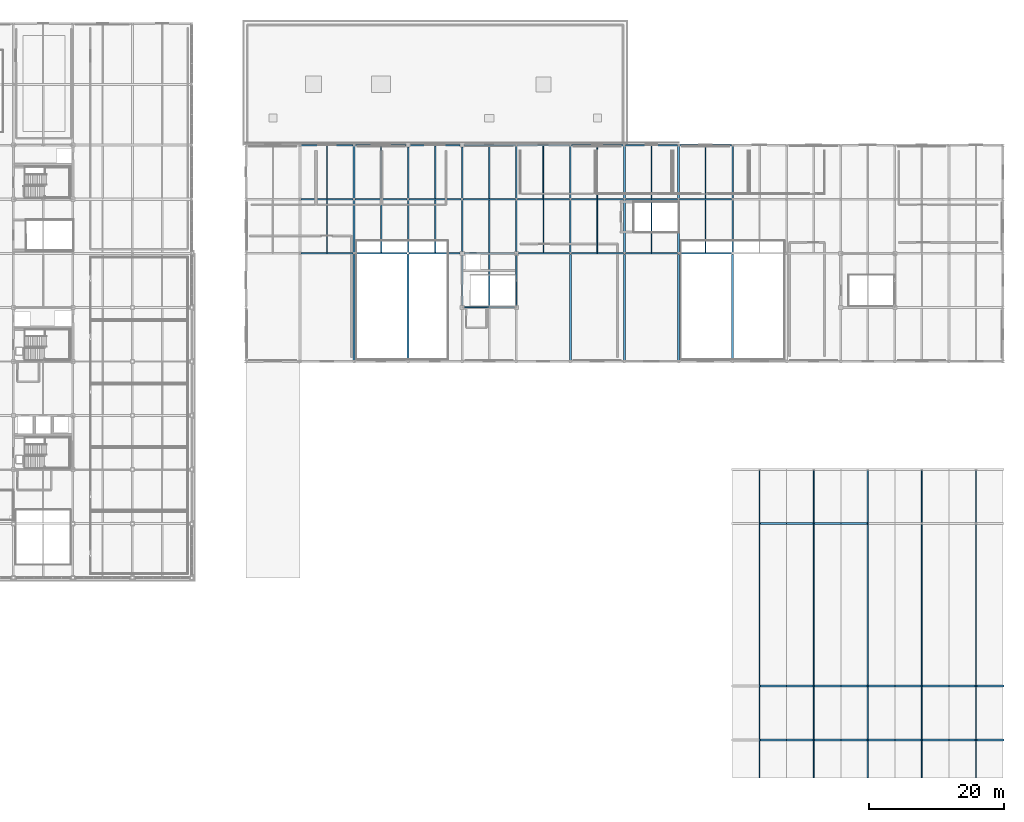
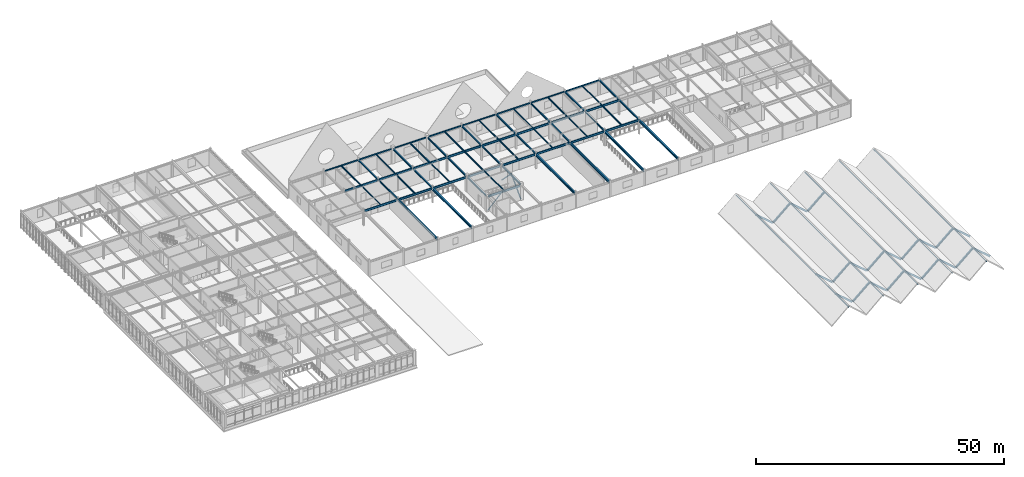
# One storey, part 36 of 88: 66 beams, 30 members.
"""IFC4 building model written with IfcOpenShell, lengths in metres."""

from ifc_helpers import new_model, si_unit, direction, frame, origin, origin_2d, place, context, subcontext, project, spatial, hollow_rectangle, hollow_circle, i_section, extrude, material, material_profile, profile_set, type_object, element, save


model = new_model("IFC4")

# Units and contexts
model_context = context("Model", 3, precision=1e-05, world=origin(), true_north=direction((0.0, 1.0)))
body_context = subcontext(model_context, "Body", "Model", "MODEL_VIEW")
ifc_project = project(units=[si_unit("LENGTHUNIT", "METRE"), si_unit("AREAUNIT", "SQUARE_METRE"), si_unit("VOLUMEUNIT", "CUBIC_METRE"), si_unit("PLANEANGLEUNIT", "RADIAN"), si_unit("MASSUNIT", "GRAM", prefix="KILO")], contexts=[model_context])

# Site, building, storey
site_placement = place(None, origin())
site = spatial("IfcSite", under=ifc_project, at=site_placement, CompositionType="ELEMENT")
building_placement = place(site_placement, origin())
building = spatial("IfcBuilding", under=site, at=building_placement, Name="Zhaolan Boulevard Law Courts", CompositionType="ELEMENT")
storey_placement = place(building_placement, frame((0.0, 0.0, 16.199951171875)))
storey = spatial("IfcBuildingStorey", under=building, at=storey_placement, Name="L03", CompositionType="ELEMENT", Elevation=16.199951171875)

# Members
ifc_material_1 = material(Name="Structural steel Q355B", Category="steel")
ifc_material_profile_1 = material_profile(ifc_material_1, hollow_circle(Radius=0.109619140625, WallThickness=0.008056640625, at=origin_2d()), Name="CHS219x8")
ifc_profile_set_1 = profile_set([ifc_material_profile_1], Name="Structural steel Q355B")
member_type_1 = type_object("IfcMemberType", Name="BRACE CHS219", PredefinedType="BRACE", material=ifc_profile_set_1)
member_1_placement = place(storey_placement, frame((84.179931640625, 70.0, 0.030029296875), z_axis=(0.700651844954, 0.0, 0.713503323161), x_axis=(0.0, 1.0, 0.0)))
element("IfcMember", 1, at=member_1_placement, inside=storey, type_object=member_type_1, Name="Core Brace BR-T1-L03-S1", PredefinedType="BRACE", context=body_context, shape_type="SweptSolid", body=[
    extrude(hollow_circle(Radius=0.109619140625, WallThickness=0.008056640625, at=origin_2d()), origin(), (0.0, 0.0, 1.0), 5.4521484375),
])
ifc_material_2 = material(Name="Structural steel Q355B", Category="steel")
ifc_material_profile_2 = material_profile(ifc_material_2, hollow_rectangle(XDim=0.219970703125, YDim=0.219970703125, WallThickness=0.010009765625, InnerFilletRadius=0.010009765625, OuterFilletRadius=0.02001953125, at=origin_2d()), Name="HSS220x220x10")
ifc_profile_set_2 = profile_set([ifc_material_profile_2], Name="Structural steel Q355B")
member_type_2 = type_object("IfcMemberType", Name="BRACE HSS220", PredefinedType="BRACE", material=ifc_profile_set_2)
member_2_placement = place(storey_placement, frame((92.0, 77.820068359375, 0.030029296875), z_axis=(0.0, -0.700651844954, 0.713503323161), x_axis=(1.0, 0.0, 0.0)))
element("IfcMember", 2, at=member_2_placement, inside=storey, type_object=member_type_2, Name="Core Brace BR-T1-L03-E2", PredefinedType="BRACE", context=body_context, shape_type="SweptSolid", body=[
    extrude(hollow_rectangle(XDim=0.219970703125, YDim=0.219970703125, WallThickness=0.010009765625, InnerFilletRadius=0.010009765625, OuterFilletRadius=0.02001953125, at=origin_2d()), origin(), (0.0, 0.0, 1.0), 5.4521484375),
])
ifc_material_3 = material(Name="Structural steel Q355B", Category="steel")
ifc_material_profile_3 = material_profile(ifc_material_3, i_section(OverallWidth=0.14990234375, OverallDepth=0.14990234375, WebThickness=0.007080078125, FlangeThickness=0.010009765625, FilletRadius=0.010986328125, at=origin_2d()), Name="HW150x150")
ifc_profile_set_3 = profile_set([ifc_material_profile_3], Name="Structural steel Q355B")
member_type_3 = type_object("IfcMemberType", Name="CHORD HW150", PredefinedType="CHORD", material=ifc_profile_set_3)
for number, where, z_axis, x_axis, name in (
    (3, (136.0, 0.39990234375, 3.1201171875), (0.0, 1.0, 0.0), (-1.0, 0.0, 0.0), "Folded-Plate Ridge Chord FPC-2"),
    (4, (152.0, 0.39990234375, 3.1201171875), (0.0, 1.0, 0.0), (-1.0, 0.0, 0.0), "Folded-Plate Ridge Chord FPC-4"),
):
    element("IfcMember", number, at=place(storey_placement, frame(where, z_axis=z_axis, x_axis=x_axis)), inside=storey, type_object=member_type_3, Name=name, PredefinedType="CHORD", context=body_context, shape_type="SweptSolid", body=[
        extrude(i_section(OverallWidth=0.14990234375, OverallDepth=0.14990234375, WebThickness=0.007080078125, FlangeThickness=0.010009765625, FilletRadius=0.010986328125, at=origin_2d()), origin(), (0.0, 0.0, 1.0), 45.60009765625),
    ])
ifc_material_4 = material(Name="Structural steel Q355B", Category="steel")
ifc_material_profile_4 = material_profile(ifc_material_4, i_section(OverallWidth=0.175048828125, OverallDepth=0.175048828125, WebThickness=0.007568359375, FlangeThickness=0.010986328125, FilletRadius=0.011962890625, at=origin_2d()), Name="HW175x175")
ifc_profile_set_4 = profile_set([ifc_material_profile_4], Name="Structural steel Q355B")
member_type_4 = type_object("IfcMemberType", Name="CHORD HW175", PredefinedType="CHORD", material=ifc_profile_set_4)
for number, where, z_axis, x_axis, name in (
    (5, (128.0, 0.39990234375, 3.1201171875), (0.0, 1.0, 0.0), (-1.0, 0.0, 0.0), "Folded-Plate Ridge Chord FPC-1"),
    (6, (144.0, 0.39990234375, 3.1201171875), (0.0, 1.0, 0.0), (-1.0, 0.0, 0.0), "Folded-Plate Ridge Chord FPC-3"),
    (7, (160.0, 0.39990234375, 3.1201171875), (0.0, 1.0, 0.0), (-1.0, 0.0, 0.0), "Folded-Plate Ridge Chord FPC-5"),
):
    element("IfcMember", number, at=place(storey_placement, frame(where, z_axis=z_axis, x_axis=x_axis)), inside=storey, type_object=member_type_4, Name=name, PredefinedType="CHORD", context=body_context, shape_type="SweptSolid", body=[
        extrude(i_section(OverallWidth=0.175048828125, OverallDepth=0.175048828125, WebThickness=0.007568359375, FlangeThickness=0.010986328125, FilletRadius=0.011962890625, at=origin_2d()), origin(), (0.0, 0.0, 1.0), 45.60009765625),
    ])

# Beams
ifc_material_5 = material(Name="Structural steel Q355B", Category="steel")
ifc_material_profile_5 = material_profile(ifc_material_5, i_section(OverallWidth=0.25, OverallDepth=0.340087890625, WebThickness=0.009033203125, FlangeThickness=0.013916015625, FilletRadius=0.01611328125, at=origin_2d()), Name="HM340x250")
ifc_profile_set_5 = profile_set([ifc_material_profile_5], Name="Structural steel Q355B")
beam_type_1 = type_object("IfcBeamType", Name="GIRDER HM340", PredefinedType="BEAM", material=ifc_profile_set_5)
for number, where, z_axis, x_axis, name in (
    (8, (68.0, 78.14599609375, 3.568115234375), (0.0, 1.0, 0.0), (-1.0, 0.0, 0.0), "Beam BY-L04-9-L-M"),
    (9, (68.0, 86.14599609375, 3.568115234375), (0.0, 1.0, 0.0), (-1.0, 0.0, 0.0), "Beam BY-L04-9-M-N"),
    (10, (76.0, 78.14599609375, 3.568115234375), (0.0, 1.0, 0.0), (-1.0, 0.0, 0.0), "Beam BY-L04-10-L-M"),
):
    element("IfcBeam", number, at=place(storey_placement, frame(where, z_axis=z_axis, x_axis=x_axis)), inside=storey, type_object=beam_type_1, Name=name, PredefinedType="BEAM", context=body_context, shape_type="SweptSolid", body=[
        extrude(i_section(OverallWidth=0.25, OverallDepth=0.340087890625, WebThickness=0.009033203125, FlangeThickness=0.013916015625, FilletRadius=0.01611328125, at=origin_2d()), origin(), (0.0, 0.0, 1.0), 7.7080078125),
    ])
beam_1_placement = place(storey_placement, frame((76.0, 86.14599609375, 3.568115234375), z_axis=(0.0, 1.0, 0.0), x_axis=(-1.0, 0.0, 0.0)))
element("IfcBeam", 11, at=beam_1_placement, inside=storey, type_object=beam_type_1, Name="Beam BY-L04-10-M-N", PredefinedType="BEAM", context=body_context, shape_type="SweptSolid", body=[
    extrude(i_section(OverallWidth=0.25, OverallDepth=0.340087890625, WebThickness=0.009033203125, FlangeThickness=0.013916015625, FilletRadius=0.01611328125, at=origin_2d()), origin(), (0.0, 0.0, 1.0), 7.55810546875),
])
beam_2_placement = place(storey_placement, frame((84.0, 70.2958984375, 3.568115234375), z_axis=(0.0, 1.0, 0.0), x_axis=(-1.0, 0.0, 0.0)))
element("IfcBeam", 12, at=beam_2_placement, inside=storey, type_object=beam_type_1, Name="Beam BY-L04-11-K-L", PredefinedType="BEAM", context=body_context, shape_type="SweptSolid", body=[
    extrude(i_section(OverallWidth=0.25, OverallDepth=0.340087890625, WebThickness=0.009033203125, FlangeThickness=0.013916015625, FilletRadius=0.01611328125, at=origin_2d()), origin(), (0.0, 0.0, 1.0), 7.408203125),
])
for number, where, z_axis, x_axis, name in (
    (13, (84.0, 78.2958984375, 3.568115234375), (0.0, 1.0, 0.0), (-1.0, 0.0, 0.0), "Beam BY-L04-11-L-M"),
    (14, (84.0, 86.14599609375, 3.568115234375), (0.0, 1.0, 0.0), (-1.0, 0.0, 0.0), "Beam BY-L04-11-M-N"),
):
    element("IfcBeam", number, at=place(storey_placement, frame(where, z_axis=z_axis, x_axis=x_axis)), inside=storey, type_object=beam_type_1, Name=name, PredefinedType="BEAM", context=body_context, shape_type="SweptSolid", body=[
        extrude(i_section(OverallWidth=0.25, OverallDepth=0.340087890625, WebThickness=0.009033203125, FlangeThickness=0.013916015625, FilletRadius=0.01611328125, at=origin_2d()), origin(), (0.0, 0.0, 1.0), 7.55810546875),
    ])
beam_3_placement = place(storey_placement, frame((92.0, 70.2958984375, 3.568115234375), z_axis=(0.0, 1.0, 0.0), x_axis=(-1.0, 0.0, 0.0)))
element("IfcBeam", 15, at=beam_3_placement, inside=storey, type_object=beam_type_1, Name="Beam BY-L04-12-K-L", PredefinedType="BEAM", context=body_context, shape_type="SweptSolid", body=[
    extrude(i_section(OverallWidth=0.25, OverallDepth=0.340087890625, WebThickness=0.009033203125, FlangeThickness=0.013916015625, FilletRadius=0.01611328125, at=origin_2d()), origin(), (0.0, 0.0, 1.0), 7.408203125),
])
beam_4_placement = place(storey_placement, frame((92.0, 78.2958984375, 3.568115234375), z_axis=(0.0, 1.0, 0.0), x_axis=(-1.0, 0.0, 0.0)))
element("IfcBeam", 16, at=beam_4_placement, inside=storey, type_object=beam_type_1, Name="Beam BY-L04-12-L-M", PredefinedType="BEAM", context=body_context, shape_type="SweptSolid", body=[
    extrude(i_section(OverallWidth=0.25, OverallDepth=0.340087890625, WebThickness=0.009033203125, FlangeThickness=0.013916015625, FilletRadius=0.01611328125, at=origin_2d()), origin(), (0.0, 0.0, 1.0), 7.55810546875),
])
for number, where, z_axis, x_axis, name in (
    (17, (92.0, 86.14599609375, 3.568115234375), (0.0, 1.0, 0.0), (-1.0, 0.0, 0.0), "Beam BY-L04-12-M-N"),
    (18, (100.0, 78.14599609375, 3.568115234375), (0.0, 1.0, 0.0), (-1.0, 0.0, 0.0), "Beam BY-L04-13-L-M"),
    (19, (100.0, 86.14599609375, 3.568115234375), (0.0, 1.0, 0.0), (-1.0, 0.0, 0.0), "Beam BY-L04-13-M-N"),
    (20, (108.0, 78.14599609375, 3.568115234375), (0.0, 1.0, 0.0), (-1.0, 0.0, 0.0), "Beam BY-L04-14-L-M"),
    (21, (108.0, 86.14599609375, 3.568115234375), (0.0, 1.0, 0.0), (-1.0, 0.0, 0.0), "Beam BY-L04-14-M-N"),
    (22, (116.0, 78.14599609375, 3.568115234375), (0.0, 1.0, 0.0), (-1.0, 0.0, 0.0), "Beam BY-L04-15-L-M"),
    (23, (116.0, 86.14599609375, 3.568115234375), (0.0, 1.0, 0.0), (-1.0, 0.0, 0.0), "Beam BY-L04-15-M-N"),
    (24, (124.0, 78.14599609375, 3.568115234375), (0.0, 1.0, 0.0), (-1.0, 0.0, 0.0), "Beam BY-L04-16-L-M"),
    (25, (124.0, 86.14599609375, 3.568115234375), (0.0, 1.0, 0.0), (-1.0, 0.0, 0.0), "Beam BY-L04-16-M-N"),
):
    element("IfcBeam", number, at=place(storey_placement, frame(where, z_axis=z_axis, x_axis=x_axis)), inside=storey, type_object=beam_type_1, Name=name, PredefinedType="BEAM", context=body_context, shape_type="SweptSolid", body=[
        extrude(i_section(OverallWidth=0.25, OverallDepth=0.340087890625, WebThickness=0.009033203125, FlangeThickness=0.013916015625, FilletRadius=0.01611328125, at=origin_2d()), origin(), (0.0, 0.0, 1.0), 7.7080078125),
    ])
ifc_material_6 = material(Name="Structural steel Q390B", Category="steel")
ifc_material_profile_6 = material_profile(ifc_material_6, i_section(OverallWidth=0.300048828125, OverallDepth=0.587890625, WebThickness=0.011962890625, FlangeThickness=0.02001953125, FilletRadius=0.02392578125, at=origin_2d()), Name="HM588x300")
ifc_profile_set_6 = profile_set([ifc_material_profile_6], Name="Structural steel Q390B")
beam_type_2 = type_object("IfcBeamType", Name="GIRDER HM588", PredefinedType="BEAM", material=ifc_profile_set_6)
for number, where, z_axis, x_axis, name in (
    (26, (68.0, 62.14599609375, 3.444091796875), (0.0, 1.0, 0.0), (-1.0, 0.0, 0.0), "Beam BY-L04-9-J-L"),
    (27, (76.0, 62.14599609375, 3.444091796875), (0.0, 1.0, 0.0), (-1.0, 0.0, 0.0), "Beam BY-L04-10-J-L"),
    (28, (100.0, 62.14599609375, 3.444091796875), (0.0, 1.0, 0.0), (-1.0, 0.0, 0.0), "Beam BY-L04-13-J-L"),
    (29, (108.0, 62.14599609375, 3.444091796875), (0.0, 1.0, 0.0), (-1.0, 0.0, 0.0), "Beam BY-L04-14-J-L"),
    (30, (116.0, 62.14599609375, 3.444091796875), (0.0, 1.0, 0.0), (-1.0, 0.0, 0.0), "Beam BY-L04-15-J-L"),
    (31, (124.0, 62.14599609375, 3.444091796875), (0.0, 1.0, 0.0), (-1.0, 0.0, 0.0), "Beam BY-L04-16-J-L"),
):
    element("IfcBeam", number, at=place(storey_placement, frame(where, z_axis=z_axis, x_axis=x_axis)), inside=storey, type_object=beam_type_2, Name=name, PredefinedType="BEAM", context=body_context, shape_type="SweptSolid", body=[
        extrude(i_section(OverallWidth=0.300048828125, OverallDepth=0.587890625, WebThickness=0.011962890625, FlangeThickness=0.02001953125, FilletRadius=0.02392578125, at=origin_2d()), origin(), (0.0, 0.0, 1.0), 15.7080078125),
    ])
ifc_material_7 = material(Name="Structural steel Q355B", Category="steel")
ifc_material_profile_7 = material_profile(ifc_material_7, i_section(OverallWidth=0.199951171875, OverallDepth=0.5, WebThickness=0.010009765625, FlangeThickness=0.01611328125, FilletRadius=0.01806640625, at=origin_2d()), Name="HN500x200")
ifc_profile_set_7 = profile_set([ifc_material_profile_7], Name="Structural steel Q355B")
beam_type_3 = type_object("IfcBeamType", Name="GIRDER HN500", PredefinedType="BEAM", material=ifc_profile_set_7)
beam_5_placement = place(storey_placement, frame((84.2958984375, 70.0, 3.488037109375), z_axis=(1.0, 0.0, 0.0), x_axis=(0.0, 1.0, 0.0)))
element("IfcBeam", 32, at=beam_5_placement, inside=storey, type_object=beam_type_3, Name="Beam BX-L04-11-12-K", PredefinedType="BEAM", context=body_context, shape_type="SweptSolid", body=[
    extrude(i_section(OverallWidth=0.199951171875, OverallDepth=0.5, WebThickness=0.010009765625, FlangeThickness=0.01611328125, FilletRadius=0.01806640625, at=origin_2d()), origin(), (0.0, 0.0, 1.0), 7.408203125),
])
for number, where, z_axis, x_axis, name in (
    (33, (60.14599609375, 78.0, 3.488037109375), (1.0, 0.0, 0.0), (0.0, 1.0, 0.0), "Beam BX-L04-8-9-L"),
    (34, (68.14599609375, 78.0, 3.488037109375), (1.0, 0.0, 0.0), (0.0, 1.0, 0.0), "Beam BX-L04-9-10-L"),
):
    element("IfcBeam", number, at=place(storey_placement, frame(where, z_axis=z_axis, x_axis=x_axis)), inside=storey, type_object=beam_type_3, Name=name, PredefinedType="BEAM", context=body_context, shape_type="SweptSolid", body=[
        extrude(i_section(OverallWidth=0.199951171875, OverallDepth=0.5, WebThickness=0.010009765625, FlangeThickness=0.01611328125, FilletRadius=0.01806640625, at=origin_2d()), origin(), (0.0, 0.0, 1.0), 7.7080078125),
    ])
beam_6_placement = place(storey_placement, frame((76.14599609375, 78.0, 3.488037109375), z_axis=(1.0, 0.0, 0.0), x_axis=(0.0, 1.0, 0.0)))
element("IfcBeam", 35, at=beam_6_placement, inside=storey, type_object=beam_type_3, Name="Beam BX-L04-10-11-L", PredefinedType="BEAM", context=body_context, shape_type="SweptSolid", body=[
    extrude(i_section(OverallWidth=0.199951171875, OverallDepth=0.5, WebThickness=0.010009765625, FlangeThickness=0.01611328125, FilletRadius=0.01806640625, at=origin_2d()), origin(), (0.0, 0.0, 1.0), 7.55810546875),
])
beam_7_placement = place(storey_placement, frame((84.2958984375, 78.0, 3.488037109375), z_axis=(1.0, 0.0, 0.0), x_axis=(0.0, 1.0, 0.0)))
element("IfcBeam", 36, at=beam_7_placement, inside=storey, type_object=beam_type_3, Name="Beam BX-L04-11-12-L", PredefinedType="BEAM", context=body_context, shape_type="SweptSolid", body=[
    extrude(i_section(OverallWidth=0.199951171875, OverallDepth=0.5, WebThickness=0.010009765625, FlangeThickness=0.01611328125, FilletRadius=0.01806640625, at=origin_2d()), origin(), (0.0, 0.0, 1.0), 7.408203125),
])
beam_8_placement = place(storey_placement, frame((92.2958984375, 78.0, 3.488037109375), z_axis=(1.0, 0.0, 0.0), x_axis=(0.0, 1.0, 0.0)))
element("IfcBeam", 37, at=beam_8_placement, inside=storey, type_object=beam_type_3, Name="Beam BX-L04-12-13-L", PredefinedType="BEAM", context=body_context, shape_type="SweptSolid", body=[
    extrude(i_section(OverallWidth=0.199951171875, OverallDepth=0.5, WebThickness=0.010009765625, FlangeThickness=0.01611328125, FilletRadius=0.01806640625, at=origin_2d()), origin(), (0.0, 0.0, 1.0), 7.55810546875),
])
for number, where, z_axis, x_axis, name in (
    (38, (100.14599609375, 78.0, 3.488037109375), (1.0, 0.0, 0.0), (0.0, 1.0, 0.0), "Beam BX-L04-13-14-L"),
    (39, (108.14599609375, 78.0, 3.488037109375), (1.0, 0.0, 0.0), (0.0, 1.0, 0.0), "Beam BX-L04-14-15-L"),
    (40, (116.14599609375, 78.0, 3.488037109375), (1.0, 0.0, 0.0), (0.0, 1.0, 0.0), "Beam BX-L04-15-16-L"),
    (41, (60.14599609375, 86.0, 3.488037109375), (1.0, 0.0, 0.0), (0.0, 1.0, 0.0), "Beam BX-L04-8-9-M"),
    (42, (68.14599609375, 86.0, 3.488037109375), (1.0, 0.0, 0.0), (0.0, 1.0, 0.0), "Beam BX-L04-9-10-M"),
    (43, (76.14599609375, 86.0, 3.488037109375), (1.0, 0.0, 0.0), (0.0, 1.0, 0.0), "Beam BX-L04-10-11-M"),
    (44, (84.14599609375, 86.0, 3.488037109375), (1.0, 0.0, 0.0), (0.0, 1.0, 0.0), "Beam BX-L04-11-12-M"),
    (45, (92.14599609375, 86.0, 3.488037109375), (1.0, 0.0, 0.0), (0.0, 1.0, 0.0), "Beam BX-L04-12-13-M"),
    (46, (100.14599609375, 86.0, 3.488037109375), (1.0, 0.0, 0.0), (0.0, 1.0, 0.0), "Beam BX-L04-13-14-M"),
    (47, (108.14599609375, 86.0, 3.488037109375), (1.0, 0.0, 0.0), (0.0, 1.0, 0.0), "Beam BX-L04-14-15-M"),
    (48, (116.14599609375, 86.0, 3.488037109375), (1.0, 0.0, 0.0), (0.0, 1.0, 0.0), "Beam BX-L04-15-16-M"),
):
    element("IfcBeam", number, at=place(storey_placement, frame(where, z_axis=z_axis, x_axis=x_axis)), inside=storey, type_object=beam_type_3, Name=name, PredefinedType="BEAM", context=body_context, shape_type="SweptSolid", body=[
        extrude(i_section(OverallWidth=0.199951171875, OverallDepth=0.5, WebThickness=0.010009765625, FlangeThickness=0.01611328125, FilletRadius=0.01806640625, at=origin_2d()), origin(), (0.0, 0.0, 1.0), 7.7080078125),
    ])
ifc_material_8 = material(Name="Structural steel Q355B", Category="steel")
ifc_material_profile_8 = material_profile(ifc_material_8, i_section(OverallWidth=0.175048828125, OverallDepth=0.243896484375, WebThickness=0.007080078125, FlangeThickness=0.010986328125, FilletRadius=0.012939453125, at=origin_2d()), Name="HM244x175")
ifc_profile_set_8 = profile_set([ifc_material_profile_8], Name="Structural steel Q355B")
beam_type_4 = type_object("IfcBeamType", Name="JOIST HM244", PredefinedType="JOIST", material=ifc_profile_set_8)
for number, where, z_axis, x_axis, name in (
    (49, (72.0, 86.095947265625, 3.615966796875), (0.0, 1.0, 0.0), (-1.0, 0.0, 0.0), "Composite Joist J-L04-9M"),
    (50, (80.0, 78.095947265625, 3.615966796875), (0.0, 1.0, 0.0), (-1.0, 0.0, 0.0), "Composite Joist J-L04-10L"),
    (51, (88.0, 70.095947265625, 3.615966796875), (0.0, 1.0, 0.0), (-1.0, 0.0, 0.0), "Composite Joist J-L04-11K"),
    (52, (120.0, 86.095947265625, 3.615966796875), (0.0, 1.0, 0.0), (-1.0, 0.0, 0.0), "Composite Joist J-L04-15M"),
):
    element("IfcBeam", number, at=place(storey_placement, frame(where, z_axis=z_axis, x_axis=x_axis)), inside=storey, type_object=beam_type_4, Name=name, PredefinedType="JOIST", context=body_context, shape_type="SweptSolid", body=[
        extrude(i_section(OverallWidth=0.175048828125, OverallDepth=0.243896484375, WebThickness=0.007080078125, FlangeThickness=0.010986328125, FilletRadius=0.012939453125, at=origin_2d()), origin(), (0.0, 0.0, 1.0), 7.80810546875),
    ])
ifc_material_9 = material(Name="Structural steel Q355B", Category="steel")
ifc_material_profile_9 = material_profile(ifc_material_9, i_section(OverallWidth=0.199951171875, OverallDepth=0.2939453125, WebThickness=0.008056640625, FlangeThickness=0.011962890625, FilletRadius=0.01611328125, at=origin_2d()), Name="HM294x200")
ifc_profile_set_9 = profile_set([ifc_material_profile_9], Name="Structural steel Q355B")
beam_type_5 = type_object("IfcBeamType", Name="JOIST HM294", PredefinedType="JOIST", material=ifc_profile_set_9)
for number, where, z_axis, x_axis, name in (
    (53, (64.0, 86.095947265625, 3.591064453125), (0.0, 1.0, 0.0), (-1.0, 0.0, 0.0), "Composite Joist J-L04-8M"),
    (54, (72.0, 78.095947265625, 3.591064453125), (0.0, 1.0, 0.0), (-1.0, 0.0, 0.0), "Composite Joist J-L04-9L"),
    (55, (112.0, 86.095947265625, 3.591064453125), (0.0, 1.0, 0.0), (-1.0, 0.0, 0.0), "Composite Joist J-L04-14M"),
    (56, (120.0, 78.095947265625, 3.591064453125), (0.0, 1.0, 0.0), (-1.0, 0.0, 0.0), "Composite Joist J-L04-15L"),
):
    element("IfcBeam", number, at=place(storey_placement, frame(where, z_axis=z_axis, x_axis=x_axis)), inside=storey, type_object=beam_type_5, Name=name, PredefinedType="JOIST", context=body_context, shape_type="SweptSolid", body=[
        extrude(i_section(OverallWidth=0.199951171875, OverallDepth=0.2939453125, WebThickness=0.008056640625, FlangeThickness=0.011962890625, FilletRadius=0.01611328125, at=origin_2d()), origin(), (0.0, 0.0, 1.0), 7.80810546875),
    ])
ifc_material_10 = material(Name="Structural steel Q355B", Category="steel")
ifc_material_profile_10 = material_profile(ifc_material_10, i_section(OverallWidth=0.125, OverallDepth=0.25, WebThickness=0.006103515625, FlangeThickness=0.009033203125, FilletRadius=0.010009765625, at=origin_2d()), Name="HN250x125")
ifc_profile_set_10 = profile_set([ifc_material_profile_10], Name="Structural steel Q355B")
beam_type_6 = type_object("IfcBeamType", Name="JOIST HN250", PredefinedType="JOIST", material=ifc_profile_set_10)
for number, where, z_axis, x_axis, name in (
    (57, (64.0, 78.095947265625, 3.613037109375), (0.0, 1.0, 0.0), (-1.0, 0.0, 0.0), "Composite Joist J-L04-8L"),
    (58, (104.0, 86.095947265625, 3.613037109375), (0.0, 1.0, 0.0), (-1.0, 0.0, 0.0), "Composite Joist J-L04-13M"),
    (59, (112.0, 78.095947265625, 3.613037109375), (0.0, 1.0, 0.0), (-1.0, 0.0, 0.0), "Composite Joist J-L04-14L"),
):
    element("IfcBeam", number, at=place(storey_placement, frame(where, z_axis=z_axis, x_axis=x_axis)), inside=storey, type_object=beam_type_6, Name=name, PredefinedType="JOIST", context=body_context, shape_type="SweptSolid", body=[
        extrude(i_section(OverallWidth=0.125, OverallDepth=0.25, WebThickness=0.006103515625, FlangeThickness=0.009033203125, FilletRadius=0.010009765625, at=origin_2d()), origin(), (0.0, 0.0, 1.0), 7.80810546875),
    ])
ifc_material_11 = material(Name="Structural steel Q355B", Category="steel")
ifc_material_profile_11 = material_profile(ifc_material_11, i_section(OverallWidth=0.14990234375, OverallDepth=0.300048828125, WebThickness=0.006591796875, FlangeThickness=0.009033203125, FilletRadius=0.010986328125, at=origin_2d()), Name="HN300x150")
ifc_profile_set_11 = profile_set([ifc_material_profile_11], Name="Structural steel Q355B")
beam_type_7 = type_object("IfcBeamType", Name="JOIST HN300", PredefinedType="JOIST", material=ifc_profile_set_11)
for number, where, z_axis, x_axis, name in (
    (60, (96.0, 86.095947265625, 3.588134765625), (0.0, 1.0, 0.0), (-1.0, 0.0, 0.0), "Composite Joist J-L04-12M"),
    (61, (104.0, 78.095947265625, 3.588134765625), (0.0, 1.0, 0.0), (-1.0, 0.0, 0.0), "Composite Joist J-L04-13L"),
):
    element("IfcBeam", number, at=place(storey_placement, frame(where, z_axis=z_axis, x_axis=x_axis)), inside=storey, type_object=beam_type_7, Name=name, PredefinedType="JOIST", context=body_context, shape_type="SweptSolid", body=[
        extrude(i_section(OverallWidth=0.14990234375, OverallDepth=0.300048828125, WebThickness=0.006591796875, FlangeThickness=0.009033203125, FilletRadius=0.010986328125, at=origin_2d()), origin(), (0.0, 0.0, 1.0), 7.80810546875),
    ])
ifc_material_12 = material(Name="Structural steel Q355B", Category="steel")
ifc_material_profile_12 = material_profile(ifc_material_12, i_section(OverallWidth=0.175048828125, OverallDepth=0.35009765625, WebThickness=0.007080078125, FlangeThickness=0.010986328125, FilletRadius=0.012939453125, at=origin_2d()), Name="HN350x175")
ifc_profile_set_12 = profile_set([ifc_material_profile_12], Name="Structural steel Q355B")
beam_type_8 = type_object("IfcBeamType", Name="JOIST HN350", PredefinedType="JOIST", material=ifc_profile_set_12)
for number, where, z_axis, x_axis, name in (
    (62, (88.0, 86.095947265625, 3.56298828125), (0.0, 1.0, 0.0), (-1.0, 0.0, 0.0), "Composite Joist J-L04-11M"),
    (63, (96.0, 78.095947265625, 3.56298828125), (0.0, 1.0, 0.0), (-1.0, 0.0, 0.0), "Composite Joist J-L04-12L"),
):
    element("IfcBeam", number, at=place(storey_placement, frame(where, z_axis=z_axis, x_axis=x_axis)), inside=storey, type_object=beam_type_8, Name=name, PredefinedType="JOIST", context=body_context, shape_type="SweptSolid", body=[
        extrude(i_section(OverallWidth=0.175048828125, OverallDepth=0.35009765625, WebThickness=0.007080078125, FlangeThickness=0.010986328125, FilletRadius=0.012939453125, at=origin_2d()), origin(), (0.0, 0.0, 1.0), 7.80810546875),
    ])
ifc_material_13 = material(Name="Structural steel Q355B", Category="steel")
ifc_material_profile_13 = material_profile(ifc_material_13, i_section(OverallWidth=0.199951171875, OverallDepth=0.39990234375, WebThickness=0.008056640625, FlangeThickness=0.012939453125, FilletRadius=0.013916015625, at=origin_2d()), Name="HN400x200")
ifc_profile_set_13 = profile_set([ifc_material_profile_13], Name="Structural steel Q355B")
beam_type_9 = type_object("IfcBeamType", Name="JOIST HN400", PredefinedType="JOIST", material=ifc_profile_set_13)
for number, where, z_axis, x_axis, name in (
    (64, (80.0, 86.095947265625, 3.5380859375), (0.0, 1.0, 0.0), (-1.0, 0.0, 0.0), "Composite Joist J-L04-10M"),
    (65, (88.0, 78.095947265625, 3.5380859375), (0.0, 1.0, 0.0), (-1.0, 0.0, 0.0), "Composite Joist J-L04-11L"),
):
    element("IfcBeam", number, at=place(storey_placement, frame(where, z_axis=z_axis, x_axis=x_axis)), inside=storey, type_object=beam_type_9, Name=name, PredefinedType="JOIST", context=body_context, shape_type="SweptSolid", body=[
        extrude(i_section(OverallWidth=0.199951171875, OverallDepth=0.39990234375, WebThickness=0.008056640625, FlangeThickness=0.012939453125, FilletRadius=0.013916015625, at=origin_2d()), origin(), (0.0, 0.0, 1.0), 7.80810546875),
    ])

# Members
ifc_material_14 = material(Name="Structural steel Q355B", Category="steel")
ifc_material_profile_14 = material_profile(ifc_material_14, i_section(OverallWidth=0.300048828125, OverallDepth=0.389892578125, WebThickness=0.010009765625, FlangeThickness=0.01611328125, FilletRadius=0.01806640625, at=origin_2d()), Name="HM390x300")
ifc_profile_set_14 = profile_set([ifc_material_profile_14], Name="Structural steel Q355B")
member_type_5 = type_object("IfcMemberType", Name="RAFTER HM390", PredefinedType="RAFTER", material=ifc_profile_set_14)
for number, where, z_axis, x_axis, name in (
    (66, (132.0, 6.0, -0.349853515625), (-0.757253091298, 0.0, 0.653121547432), (0.0, -1.0, 0.0), "Folded-Plate Rafter FPR-1E"),
    (67, (132.0, 14.0, -0.349853515625), (-0.757253091298, 0.0, 0.653121547432), (0.0, -1.0, 0.0), "Folded-Plate Rafter FPR-1E"),
    (68, (132.0, 38.0, -0.349853515625), (-0.757253091298, 0.0, 0.653121547432), (0.0, -1.0, 0.0), "Folded-Plate Rafter FPR-1E"),
    (69, (132.0, 6.0, -0.349853515625), (0.757253091298, 0.0, 0.653121547432), (0.0, 1.0, 0.0), "Folded-Plate Rafter FPR-2W"),
    (70, (140.0, 6.0, -0.349853515625), (-0.757253091298, 0.0, 0.653121547432), (0.0, -1.0, 0.0), "Folded-Plate Rafter FPR-2E"),
    (71, (132.0, 14.0, -0.349853515625), (0.757253091298, 0.0, 0.653121547432), (0.0, 1.0, 0.0), "Folded-Plate Rafter FPR-2W"),
    (72, (140.0, 14.0, -0.349853515625), (-0.757253091298, 0.0, 0.653121547432), (0.0, -1.0, 0.0), "Folded-Plate Rafter FPR-2E"),
    (73, (132.0, 38.0, -0.349853515625), (0.757253091298, 0.0, 0.653121547432), (0.0, 1.0, 0.0), "Folded-Plate Rafter FPR-2W"),
    (74, (140.0, 38.0, -0.349853515625), (-0.757253091298, 0.0, 0.653121547432), (0.0, -1.0, 0.0), "Folded-Plate Rafter FPR-2E"),
    (75, (140.0, 6.0, -0.349853515625), (0.757253091298, 0.0, 0.653121547432), (0.0, 1.0, 0.0), "Folded-Plate Rafter FPR-3W"),
    (76, (148.0, 6.0, -0.349853515625), (-0.757253091298, 0.0, 0.653121547432), (0.0, -1.0, 0.0), "Folded-Plate Rafter FPR-3E"),
    (77, (140.0, 14.0, -0.349853515625), (0.757253091298, 0.0, 0.653121547432), (0.0, 1.0, 0.0), "Folded-Plate Rafter FPR-3W"),
    (78, (148.0, 14.0, -0.349853515625), (-0.757253091298, 0.0, 0.653121547432), (0.0, -1.0, 0.0), "Folded-Plate Rafter FPR-3E"),
    (79, (140.0, 38.0, -0.349853515625), (0.757253091298, 0.0, 0.653121547432), (0.0, 1.0, 0.0), "Folded-Plate Rafter FPR-3W"),
    (80, (148.0, 6.0, -0.349853515625), (0.757253091298, 0.0, 0.653121547432), (0.0, 1.0, 0.0), "Folded-Plate Rafter FPR-4W"),
    (81, (156.0, 6.0, -0.349853515625), (-0.757253091298, 0.0, 0.653121547432), (0.0, -1.0, 0.0), "Folded-Plate Rafter FPR-4E"),
    (82, (148.0, 14.0, -0.349853515625), (0.757253091298, 0.0, 0.653121547432), (0.0, 1.0, 0.0), "Folded-Plate Rafter FPR-4W"),
    (83, (156.0, 14.0, -0.349853515625), (-0.757253091298, 0.0, 0.653121547432), (0.0, -1.0, 0.0), "Folded-Plate Rafter FPR-4E"),
    (84, (156.0, 6.0, -0.349853515625), (0.757253091298, 0.0, 0.653121547432), (0.0, 1.0, 0.0), "Folded-Plate Rafter FPR-5W"),
    (85, (164.0, 6.0, -0.349853515625), (-0.757253091298, 0.0, 0.653121547432), (0.0, -1.0, 0.0), "Folded-Plate Rafter FPR-5E"),
    (86, (156.0, 14.0, -0.349853515625), (0.757253091298, 0.0, 0.653121547432), (0.0, 1.0, 0.0), "Folded-Plate Rafter FPR-5W"),
    (87, (164.0, 14.0, -0.349853515625), (-0.757253091298, 0.0, 0.653121547432), (0.0, -1.0, 0.0), "Folded-Plate Rafter FPR-5E"),
):
    element("IfcMember", number, at=place(storey_placement, frame(where, z_axis=z_axis, x_axis=x_axis)), inside=storey, type_object=member_type_5, Name=name, PredefinedType="RAFTER", context=body_context, shape_type="SweptSolid", body=[
        extrude(i_section(OverallWidth=0.300048828125, OverallDepth=0.389892578125, WebThickness=0.010009765625, FlangeThickness=0.01611328125, FilletRadius=0.01806640625, at=origin_2d()), origin(), (0.0, 0.0, 1.0), 5.2822265625),
    ])

# Beams
ifc_material_15 = material(Name="Structural steel Q355B", Category="steel")
ifc_material_profile_15 = material_profile(ifc_material_15, hollow_rectangle(XDim=0.199951171875, YDim=0.300048828125, WallThickness=0.011962890625, InnerFilletRadius=0.011962890625, OuterFilletRadius=0.02392578125, at=origin_2d()), Name="HSS300x200x12")
ifc_profile_set_15 = profile_set([ifc_material_profile_15], Name="Structural steel Q355B")
beam_type_10 = type_object("IfcBeamType", Name="SPANDREL HSS300", PredefinedType="SPANDREL", material=ifc_profile_set_15)
beam_9_placement = place(storey_placement, frame((60.14599609375, 94.0, 3.588134765625), z_axis=(1.0, 0.0, 0.0), x_axis=(0.0, 1.0, 0.0)))
element("IfcBeam", 88, at=beam_9_placement, inside=storey, type_object=beam_type_10, Name="Beam BX-L04-8-9-N", PredefinedType="SPANDREL", context=body_context, shape_type="SweptSolid", body=[
    extrude(hollow_rectangle(XDim=0.199951171875, YDim=0.300048828125, WallThickness=0.011962890625, InnerFilletRadius=0.011962890625, OuterFilletRadius=0.02392578125, at=origin_2d()), origin(), (0.0, 0.0, 1.0), 7.7080078125),
])
beam_10_placement = place(storey_placement, frame((68.14599609375, 94.0, 3.588134765625), z_axis=(1.0, 0.0, 0.0), x_axis=(0.0, 1.0, 0.0)))
element("IfcBeam", 89, at=beam_10_placement, inside=storey, type_object=beam_type_10, Name="Beam BX-L04-9-10-N", PredefinedType="SPANDREL", context=body_context, shape_type="SweptSolid", body=[
    extrude(hollow_rectangle(XDim=0.199951171875, YDim=0.300048828125, WallThickness=0.011962890625, InnerFilletRadius=0.011962890625, OuterFilletRadius=0.02392578125, at=origin_2d()), origin(), (0.0, 0.0, 1.0), 7.55810546875),
])
beam_11_placement = place(storey_placement, frame((76.2958984375, 94.0, 3.588134765625), z_axis=(1.0, 0.0, 0.0), x_axis=(0.0, 1.0, 0.0)))
element("IfcBeam", 90, at=beam_11_placement, inside=storey, type_object=beam_type_10, Name="Beam BX-L04-10-11-N", PredefinedType="SPANDREL", context=body_context, shape_type="SweptSolid", body=[
    extrude(hollow_rectangle(XDim=0.199951171875, YDim=0.300048828125, WallThickness=0.011962890625, InnerFilletRadius=0.011962890625, OuterFilletRadius=0.02392578125, at=origin_2d()), origin(), (0.0, 0.0, 1.0), 7.408203125),
])
beam_12_placement = place(storey_placement, frame((84.2958984375, 94.0, 3.588134765625), z_axis=(1.0, 0.0, 0.0), x_axis=(0.0, 1.0, 0.0)))
element("IfcBeam", 91, at=beam_12_placement, inside=storey, type_object=beam_type_10, Name="Beam BX-L04-11-12-N", PredefinedType="SPANDREL", context=body_context, shape_type="SweptSolid", body=[
    extrude(hollow_rectangle(XDim=0.199951171875, YDim=0.300048828125, WallThickness=0.011962890625, InnerFilletRadius=0.011962890625, OuterFilletRadius=0.02392578125, at=origin_2d()), origin(), (0.0, 0.0, 1.0), 7.55810546875),
])
for number, where, z_axis, x_axis, name in (
    (92, (92.14599609375, 94.0, 3.588134765625), (1.0, 0.0, 0.0), (0.0, 1.0, 0.0), "Beam BX-L04-12-13-N"),
    (93, (100.14599609375, 94.0, 3.588134765625), (1.0, 0.0, 0.0), (0.0, 1.0, 0.0), "Beam BX-L04-13-14-N"),
    (94, (108.14599609375, 94.0, 3.588134765625), (1.0, 0.0, 0.0), (0.0, 1.0, 0.0), "Beam BX-L04-14-15-N"),
    (95, (116.14599609375, 94.0, 3.588134765625), (1.0, 0.0, 0.0), (0.0, 1.0, 0.0), "Beam BX-L04-15-16-N"),
):
    element("IfcBeam", number, at=place(storey_placement, frame(where, z_axis=z_axis, x_axis=x_axis)), inside=storey, type_object=beam_type_10, Name=name, PredefinedType="SPANDREL", context=body_context, shape_type="SweptSolid", body=[
        extrude(hollow_rectangle(XDim=0.199951171875, YDim=0.300048828125, WallThickness=0.011962890625, InnerFilletRadius=0.011962890625, OuterFilletRadius=0.02392578125, at=origin_2d()), origin(), (0.0, 0.0, 1.0), 7.7080078125),
    ])

# Member
ifc_material_16 = material(Name="Structural steel Q355B", Category="steel")
ifc_material_profile_16 = material_profile(ifc_material_16, hollow_circle(Radius=0.083984375, WallThickness=0.008056640625, at=origin_2d()), Name="CHS168x8")
ifc_profile_set_16 = profile_set([ifc_material_profile_16], Name="Structural steel Q355B")
member_type_6 = type_object("IfcMemberType", Name="STRUT CHS168", PredefinedType="BRACE", material=ifc_profile_set_16)
member_3_placement = place(storey_placement, frame((92.0, 70.179931640625, 0.030029296875), z_axis=(0.0, 0.700651844954, 0.713503323161), x_axis=(-1.0, 0.0, 0.0)))
element("IfcMember", 96, at=member_3_placement, inside=storey, type_object=member_type_6, Name="Core Brace BR-T1-L03-E1", PredefinedType="BRACE", context=body_context, shape_type="SweptSolid", body=[
    extrude(hollow_circle(Radius=0.083984375, WallThickness=0.008056640625, at=origin_2d()), origin(), (0.0, 0.0, 1.0), 5.4521484375),
])

save(model, "model.ifc")
